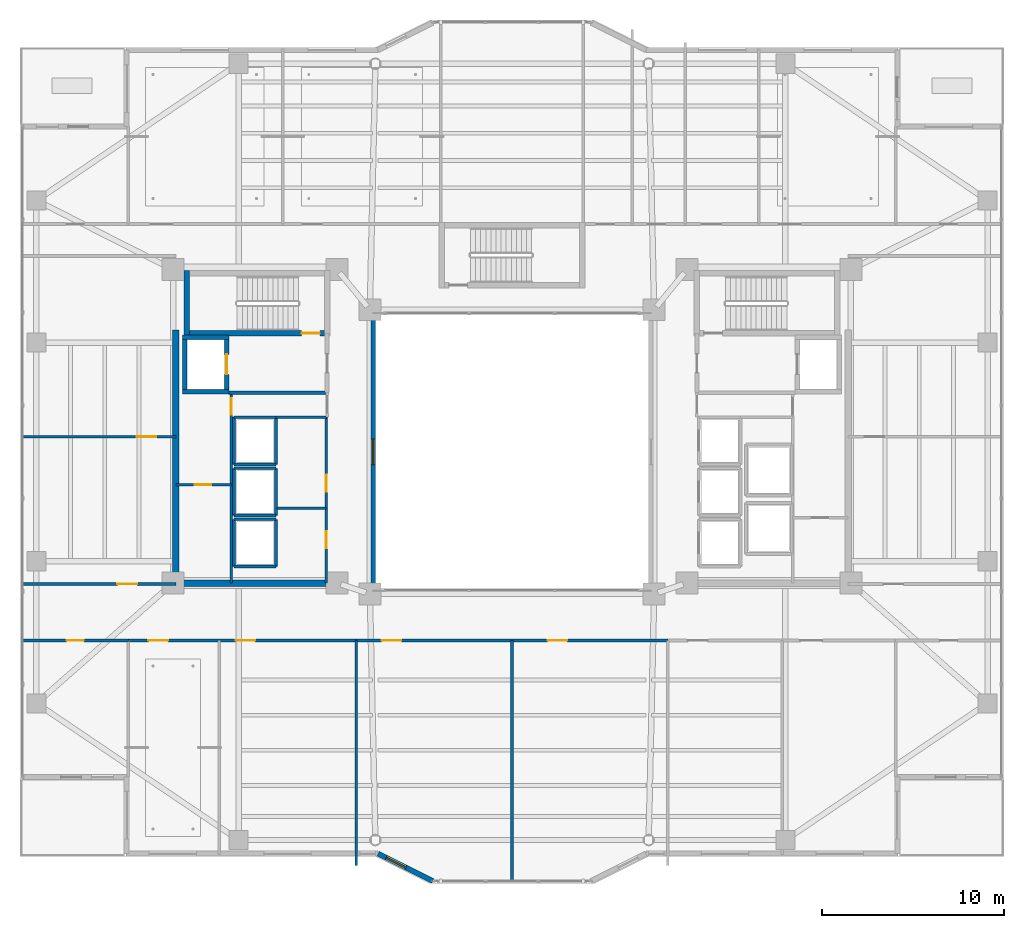
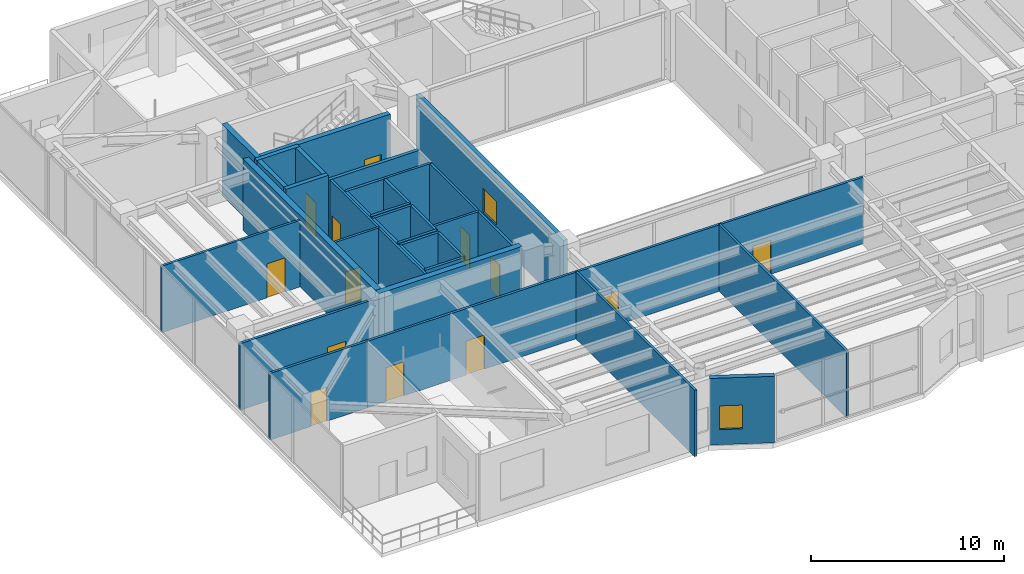
# One storey, part 27 of 38: 35 walls, 13 doors, 2 windows, 15 openings.
"""IFC4 building model written with IfcOpenShell, lengths in metres."""

from ifc_helpers import new_model, si_unit, direction, frame, frame_2d, origin, place, context, subcontext, project, spatial, rectangle, extrude, material, layer, layer_set, type_object, element, fill, save


model = new_model("IFC4")

# Units and contexts
model_context = context("Model", 3, precision=1e-05, world=origin(), true_north=direction((0.0, 1.0)))
body_context = subcontext(model_context, "Body", "Model", "MODEL_VIEW")
ifc_project = project(units=[si_unit("LENGTHUNIT", "METRE"), si_unit("AREAUNIT", "SQUARE_METRE"), si_unit("VOLUMEUNIT", "CUBIC_METRE"), si_unit("PLANEANGLEUNIT", "RADIAN"), si_unit("MASSUNIT", "GRAM", prefix="KILO")], contexts=[model_context])

# Site, building, storey
site_placement = place(None, origin())
site = spatial("IfcSite", under=ifc_project, at=site_placement, CompositionType="ELEMENT")
building_placement = place(site_placement, origin())
building = spatial("IfcBuilding", under=site, at=building_placement, Name="Tarnavaz Court Tower", CompositionType="ELEMENT")
storey_placement = place(building_placement, frame((0.0, 0.0, 123.0)))
storey = spatial("IfcBuildingStorey", under=building, at=storey_placement, Name="L33", CompositionType="ELEMENT", Elevation=123.0)

# Wall
ifc_material_1 = material(Name="Concrete C60/75", Category="concrete")
ifc_layer_1 = layer(ifc_material_1, 0.25)
ifc_layer_set_1 = layer_set([ifc_layer_1], Name="Concrete C60/75")
wall_type_1 = type_object("IfcWallType", Name="WL-CORE-250-C60", PredefinedType="SHEAR", material=ifc_layer_set_1)
wall_1_placement = place(storey_placement, frame((-17.949951171875, 3.175048828125, 0.0), z_axis=(0.0, 0.0, 1.0), x_axis=(0.0, 1.0, 0.0)))
element("IfcWall", 1, at=wall_1_placement, inside=storey, type_object=wall_type_1, Name="L33 Lift FL-W1 Shaft Wall 017", PredefinedType="SHEAR", context=body_context, shape_type="SweptSolid", body=[
    extrude(rectangle(XDim=3.25, YDim=0.25, at=frame_2d((1.625, 0.0))), origin(), (0.0, 0.0, 1.0), 4.5),
])

# Wall, opening, door
wall_2_placement = place(storey_placement, frame((-15.64990234375, 3.175048828125, 0.0), z_axis=(0.0, 0.0, 1.0), x_axis=(0.0, 1.0, 0.0)))
wall_2 = element("IfcWall", 2, at=wall_2_placement, inside=storey, type_object=wall_type_1, Name="L33 Lift FL-W1 Shaft Wall 018", PredefinedType="SHEAR", context=body_context, shape_type="SweptSolid", body=[
    extrude(rectangle(XDim=3.25, YDim=0.25, at=frame_2d((1.625, 0.0))), origin(), (0.0, 0.0, 1.0), 4.5),
])
opening_1_placement = place(wall_2_placement, frame((1.074951171875, 0.0, 0.0)))
opening_1 = element("IfcOpeningElement", 3, at=opening_1_placement, cuts=wall_2, Name="Opening LD1", PredefinedType="OPENING", context=body_context, shape_type="SweptSolid", body=[
    extrude(rectangle(XDim=1.10009765625, YDim=2.14990234375, at=frame_2d((0.550048828125, 1.074951171875))), frame((0.0, 0.135009765625, 0.0), z_axis=(0.0, -1.0, 0.0), x_axis=(1.0, 0.0, 0.0)), (0.0, 0.0, 1.0), 0.27001953125),
])
ifc_material_2 = material(Name="Stainless Steel", Category="steel")
door_type_1 = type_object("IfcDoorType", Name="DR-LD-1100", OperationType="NOTDEFINED", PredefinedType="DOOR", material=ifc_material_2)
door_1_placement = place(opening_1_placement, origin())
door_1 = element("IfcDoor", 4, at=door_1_placement, inside=storey, type_object=door_type_1, Name="L33 Lift Landing Door LD-FL-W1", OperationType="SLIDING_TO_LEFT", OverallHeight=2.14990234375, OverallWidth=1.10009765625, PredefinedType="DOOR", context=body_context, shape_type="SweptSolid", body=[
    extrude(rectangle(XDim=1.10009765625, YDim=2.14990234375, at=frame_2d((0.550048828125, 1.074951171875))), frame((0.0, 0.02490234375, 0.0), z_axis=(0.0, -1.0, 0.0), x_axis=(1.0, 0.0, 0.0)), (0.0, 0.0, 1.0), 0.050048828125),
])
fill(opening_1, door_1)

# Walls
for number, where, z_axis, x_axis, name in (
    (5, (-18.074951171875, 3.300048828125, 0.0), (0.0, 0.0, 1.0), (1.0, 0.0, 0.0), "L33 Lift FL-W1 Shaft Wall 019"),
    (6, (-18.074951171875, 6.300048828125, 0.0), (0.0, 0.0, 1.0), (1.0, 0.0, 0.0), "L33 Lift FL-W1 Shaft Wall 020"),
):
    element("IfcWall", number, at=place(storey_placement, frame(where, z_axis=z_axis, x_axis=x_axis)), inside=storey, type_object=wall_type_1, Name=name, PredefinedType="SHEAR", context=body_context, shape_type="SweptSolid", body=[
        extrude(rectangle(XDim=2.550048828125, YDim=0.25, at=frame_2d((1.27490234375, 0.0))), origin(), (0.0, 0.0, 1.0), 4.5),
    ])

# Wall, opening, door
ifc_layer_2 = layer(ifc_material_1, 0.300048828125)
ifc_layer_set_2 = layer_set([ifc_layer_2], Name="Concrete C60/75")
wall_type_2 = type_object("IfcWallType", Name="WL-CORE-300-C60", PredefinedType="SHEAR", material=ifc_layer_set_2)
wall_3_placement = place(storey_placement, frame((-18.0, 6.5, 0.0), z_axis=(0.0, 0.0, 1.0), x_axis=(1.0, 0.0, 0.0)))
wall_3 = element("IfcWall", 7, at=wall_3_placement, inside=storey, type_object=wall_type_2, Name="L33 West Stair Core Wall 002", PredefinedType="SHEAR", context=body_context, shape_type="SweptSolid", body=[
    extrude(rectangle(XDim=8.0, YDim=0.300048828125, at=frame_2d((4.0, 0.0))), origin(), (0.0, 0.0, 1.0), 4.5),
])
opening_2_placement = place(wall_3_placement, frame((6.449951171875, 0.0, 0.0)))
opening_2 = element("IfcOpeningElement", 8, at=opening_2_placement, cuts=wall_3, Name="Opening D01", PredefinedType="OPENING", context=body_context, shape_type="SweptSolid", body=[
    extrude(rectangle(XDim=1.0, YDim=2.14990234375, at=frame_2d((0.5, 1.074951171875))), frame((0.0, 0.159912109375, 0.0), z_axis=(0.0, -1.0, 0.0), x_axis=(1.0, 0.0, 0.0)), (0.0, 0.0, 1.0), 0.320068359375),
])
ifc_material_3 = material(Name="Fire-Rated Hardwood Timber Core", Category="wood")
door_type_2 = type_object("IfcDoorType", Name="DR-FD90-1000", OperationType="NOTDEFINED", PredefinedType="DOOR", material=ifc_material_3)
door_2_placement = place(opening_2_placement, origin())
door_2 = element("IfcDoor", 9, at=door_2_placement, inside=storey, type_object=door_type_2, Name="L33 Stair ST-W1 Exit Door", OperationType="SINGLE_SWING_LEFT", OverallHeight=2.14990234375, OverallWidth=1.0, PredefinedType="DOOR", context=body_context, shape_type="SweptSolid", body=[
    extrude(rectangle(XDim=1.0, YDim=2.14990234375, at=frame_2d((0.5, 1.074951171875))), frame((0.0, 0.02490234375, 0.0), z_axis=(0.0, -1.0, 0.0), x_axis=(1.0, 0.0, 0.0)), (0.0, 0.0, 1.0), 0.050048828125),
])
fill(opening_2, door_2)

# Walls
wall_4_placement = place(storey_placement, frame((-17.85009765625, 6.35009765625, 0.0), z_axis=(0.0, 0.0, 1.0), x_axis=(0.0, 1.0, 0.0)))
element("IfcWall", 10, at=wall_4_placement, inside=storey, type_object=wall_type_2, Name="L33 West Stair Core Wall 003", PredefinedType="SHEAR", context=body_context, shape_type="SweptSolid", body=[
    extrude(rectangle(XDim=3.58984375, YDim=0.300048828125, at=frame_2d((1.794921875, 0.0))), origin(), (0.0, 0.0, 1.0), 4.5),
])
ifc_layer_3 = layer(ifc_material_1, 0.35009765625)
ifc_layer_set_3 = layer_set([ifc_layer_3], Name="Concrete C60/75")
wall_type_3 = type_object("IfcWallType", Name="WL-CORE-350-C60", PredefinedType="SHEAR", material=ifc_layer_set_3)
wall_5_placement = place(storey_placement, frame((-18.449951171875, -7.375, 0.0), z_axis=(0.0, 0.0, 1.0), x_axis=(0.0, 1.0, 0.0)))
element("IfcWall", 11, at=wall_5_placement, inside=storey, type_object=wall_type_3, Name="L33 West Core Shear Wall 057", PredefinedType="SHEAR", context=body_context, shape_type="SweptSolid", body=[
    extrude(rectangle(XDim=14.050048828125, YDim=0.35009765625, at=frame_2d((7.02490234375, 0.0))), origin(), (0.0, 0.0, 1.0), 4.5),
])
wall_6_placement = place(storey_placement, frame((-18.625, -7.199951171875, 0.0), z_axis=(0.0, 0.0, 1.0), x_axis=(1.0, 0.0, 0.0)))
element("IfcWall", 12, at=wall_6_placement, inside=storey, type_object=wall_type_3, Name="L33 West Core South Shear Wall 058", PredefinedType="SHEAR", context=body_context, shape_type="SweptSolid", body=[
    extrude(rectangle(XDim=8.550048828125, YDim=0.35009765625, at=frame_2d((4.27490234375, 0.0))), origin(), (0.0, 0.0, 1.0), 4.5),
])

# Wall, opening, window
ifc_material_4 = material(Name="Precast Concrete C40/50", Category="concrete")
ifc_layer_4 = layer(ifc_material_4, 0.280029296875)
ifc_layer_set_4 = layer_set([ifc_layer_4], Name="Precast Concrete C40/50")
wall_type_4 = type_object("IfcWallType", Name="WL-EXT-280", PredefinedType="SOLIDWALL", material=ifc_layer_set_4)
wall_7_placement = place(storey_placement, frame((-4.35009765625, -23.550048828125, 0.0), z_axis=(0.0, 0.0, 1.0), x_axis=(-0.894427191, 0.4472135955, 0.0)))
wall_7 = element("IfcWall", 13, at=wall_7_placement, inside=storey, type_object=wall_type_4, Name="L33 Exterior Terracotta Facade Wall 18", PredefinedType="SOLIDWALL", context=body_context, shape_type="SweptSolid", body=[
    extrude(rectangle(XDim=3.35400390625, YDim=0.280029296875, at=frame_2d((1.677001953125, 0.0))), origin(), (0.0, 0.0, 1.0), 4.199951171875),
])
opening_3_placement = place(wall_7_placement, frame((1.65283203125, 0.0, 0.949951171875)))
opening_3 = element("IfcOpeningElement", 14, at=opening_3_placement, cuts=wall_7, Name="Opening W05", PredefinedType="OPENING", context=body_context, shape_type="SweptSolid", body=[
    extrude(rectangle(XDim=1.199951171875, YDim=1.5, at=frame_2d((0.60009765625, 0.75))), frame((0.0, 0.14990234375, 0.0), z_axis=(0.0, -1.0, 0.0), x_axis=(1.0, 0.0, 0.0)), (0.0, 0.0, 1.0), 0.300048828125),
])
ifc_material_5 = material(Name="Double-Glazed Solar Low-E Glass", Category="glass")
window_type_1 = type_object("IfcWindowType", Name="WN-APT-1200", PartitioningType="SINGLE_PANEL", PredefinedType="WINDOW", material=ifc_material_5)
window_1_placement = place(opening_3_placement, origin())
window_1 = element("IfcWindow", 15, at=window_1_placement, inside=storey, type_object=window_type_1, Name="L33 L33 South-West Cultural Classroom Window", OverallHeight=1.5, OverallWidth=1.199951171875, PartitioningType="SINGLE_PANEL", PredefinedType="WINDOW", context=body_context, shape_type="SweptSolid", body=[
    extrude(rectangle(XDim=1.199951171875, YDim=1.5, at=frame_2d((0.60009765625, 0.75))), frame((0.0, 0.030029296875, 0.0), z_axis=(0.0, -1.0, 0.0), x_axis=(1.0, 0.0, 0.0)), (0.0, 0.0, 1.0), 0.06005859375),
])
fill(opening_3, window_1)

# Wall, openings, doors
ifc_material_6 = material(Name="Gypsum Fire-Board on Acoustic Metal Stud", Category="masonry")
ifc_layer_5 = layer(ifc_material_6, 0.14990234375)
ifc_layer_set_5 = layer_set([ifc_layer_5], Name="Gypsum Fire-Board on Acoustic Metal Stud")
wall_type_5 = type_object("IfcWallType", Name="WL-FIRE-150", PredefinedType="PARTITIONING", material=ifc_layer_set_5)
wall_8_placement = place(storey_placement, frame((-21.050048828125, -10.35009765625, 0.0), z_axis=(0.0, 0.0, 1.0), x_axis=(1.0, 0.0, 0.0)))
wall_8 = element("IfcWall", 16, at=wall_8_placement, inside=storey, type_object=wall_type_5, Name="L33 SW Horseshoe Wall 073", PredefinedType="PARTITIONING", context=body_context, shape_type="SweptSolid", body=[
    extrude(rectangle(XDim=12.5, YDim=0.14990234375, at=frame_2d((6.25, 0.0))), origin(), (0.0, 0.0, 1.0), 4.199951171875),
])
opening_4_placement = place(wall_8_placement, frame((1.10009765625, 0.0, 0.0)))
opening_4 = element("IfcOpeningElement", 17, at=opening_4_placement, cuts=wall_8, Name="Opening D12", PredefinedType="OPENING", context=body_context, shape_type="SweptSolid", body=[
    extrude(rectangle(XDim=1.080078125, YDim=2.14990234375, at=frame_2d((0.5400390625, 1.074951171875))), frame((0.0, 0.0849609375, 0.0), z_axis=(0.0, -1.0, 0.0), x_axis=(1.0, 0.0, 0.0)), (0.0, 0.0, 1.0), 0.169921875),
])
opening_5_placement = place(wall_8_placement, frame((5.8798828125, 0.0, 0.0)))
opening_5 = element("IfcOpeningElement", 18, at=opening_5_placement, cuts=wall_8, Name="Opening D12", PredefinedType="OPENING", context=body_context, shape_type="SweptSolid", body=[
    extrude(rectangle(XDim=1.080078125, YDim=2.14990234375, at=frame_2d((0.5400390625, 1.074951171875))), frame((0.0, 0.0849609375, 0.0), z_axis=(0.0, -1.0, 0.0), x_axis=(1.0, 0.0, 0.0)), (0.0, 0.0, 1.0), 0.169921875),
])
ifc_material_7 = material(Name="Engineered Oak Timber", Category="wood")
door_type_3 = type_object("IfcDoorType", Name="DR-INT-1100", OperationType="NOTDEFINED", PredefinedType="DOOR", material=ifc_material_7)
door_3_placement = place(opening_4_placement, origin())
door_3 = element("IfcDoor", 19, at=door_3_placement, inside=storey, type_object=door_type_3, Name="L33 L33 Daycare Classroom Door", OperationType="SINGLE_SWING_LEFT", OverallHeight=2.14990234375, OverallWidth=1.080078125, PredefinedType="DOOR", context=body_context, shape_type="SweptSolid", body=[
    extrude(rectangle(XDim=1.080078125, YDim=2.14990234375, at=frame_2d((0.5400390625, 1.074951171875))), frame((0.0, 0.02490234375, 0.0), z_axis=(0.0, -1.0, 0.0), x_axis=(1.0, 0.0, 0.0)), (0.0, 0.0, 1.0), 0.050048828125),
])
fill(opening_4, door_3)
door_4_placement = place(opening_5_placement, origin())
door_4 = element("IfcDoor", 20, at=door_4_placement, inside=storey, type_object=door_type_3, Name="L33 SW Study Room Door", OperationType="SINGLE_SWING_RIGHT", OverallHeight=2.14990234375, OverallWidth=1.080078125, PredefinedType="DOOR", context=body_context, shape_type="SweptSolid", body=[
    extrude(rectangle(XDim=1.080078125, YDim=2.14990234375, at=frame_2d((0.5400390625, 1.074951171875))), frame((0.0, 0.02490234375, 0.0), z_axis=(0.0, -1.0, 0.0), x_axis=(1.0, 0.0, 0.0)), (0.0, 0.0, 1.0), 0.050048828125),
])
fill(opening_5, door_4)

wall_9_placement = place(storey_placement, frame((-8.550048828125, -10.35009765625, 0.0), z_axis=(0.0, 0.0, 1.0), x_axis=(1.0, 0.0, 0.0)))
wall_9 = element("IfcWall", 21, at=wall_9_placement, inside=storey, type_object=wall_type_5, Name="L33 Interior Partition 085", PredefinedType="PARTITIONING", context=body_context, shape_type="SweptSolid", body=[
    extrude(rectangle(XDim=17.10009765625, YDim=0.14990234375, at=frame_2d((8.550048828125, 0.0))), origin(), (0.0, 0.0, 1.0), 4.199951171875),
])
opening_6_placement = place(wall_9_placement, frame((1.39990234375, 0.0, 0.0)))
opening_6 = element("IfcOpeningElement", 22, at=opening_6_placement, cuts=wall_9, Name="Opening D12", PredefinedType="OPENING", context=body_context, shape_type="SweptSolid", body=[
    extrude(rectangle(XDim=1.080078125, YDim=2.14990234375, at=frame_2d((0.5400390625, 1.074951171875))), frame((0.0, 0.0849609375, 0.0), z_axis=(0.0, -1.0, 0.0), x_axis=(1.0, 0.0, 0.0)), (0.0, 0.0, 1.0), 0.169921875),
])
opening_7_placement = place(wall_9_placement, frame((10.5, 0.0, 0.0)))
opening_7 = element("IfcOpeningElement", 23, at=opening_7_placement, cuts=wall_9, Name="Opening D12", PredefinedType="OPENING", context=body_context, shape_type="SweptSolid", body=[
    extrude(rectangle(XDim=1.080078125, YDim=2.14990234375, at=frame_2d((0.5400390625, 1.074951171875))), frame((0.0, 0.0849609375, 0.0), z_axis=(0.0, -1.0, 0.0), x_axis=(1.0, 0.0, 0.0)), (0.0, 0.0, 1.0), 0.169921875),
])
door_5_placement = place(opening_6_placement, origin())
door_5 = element("IfcDoor", 24, at=door_5_placement, inside=storey, type_object=door_type_3, Name="L33 Cultural Classroom Door", OperationType="SINGLE_SWING_LEFT", OverallHeight=2.14990234375, OverallWidth=1.080078125, PredefinedType="DOOR", context=body_context, shape_type="SweptSolid", body=[
    extrude(rectangle(XDim=1.080078125, YDim=2.14990234375, at=frame_2d((0.5400390625, 1.074951171875))), frame((0.0, 0.02490234375, 0.0), z_axis=(0.0, -1.0, 0.0), x_axis=(1.0, 0.0, 0.0)), (0.0, 0.0, 1.0), 0.050048828125),
])
fill(opening_6, door_5)
door_6_placement = place(opening_7_placement, origin())
door_6 = element("IfcDoor", 25, at=door_6_placement, inside=storey, type_object=door_type_3, Name="L33 Arts Studio Door", OperationType="SINGLE_SWING_RIGHT", OverallHeight=2.14990234375, OverallWidth=1.080078125, PredefinedType="DOOR", context=body_context, shape_type="SweptSolid", body=[
    extrude(rectangle(XDim=1.080078125, YDim=2.14990234375, at=frame_2d((0.5400390625, 1.074951171875))), frame((0.0, 0.02490234375, 0.0), z_axis=(0.0, -1.0, 0.0), x_axis=(1.0, 0.0, 0.0)), (0.0, 0.0, 1.0), 0.050048828125),
])
fill(opening_7, door_6)

# Wall, opening, door
wall_10_placement = place(storey_placement, frame((-26.8798828125, -7.25, 0.0), z_axis=(0.0, 0.0, 1.0), x_axis=(1.0, 0.0, 0.0)))
wall_10 = element("IfcWall", 26, at=wall_10_placement, inside=storey, type_object=wall_type_5, Name="L33 Interior Partition 087", PredefinedType="PARTITIONING", context=body_context, shape_type="SweptSolid", body=[
    extrude(rectangle(XDim=8.429931640625, YDim=0.14990234375, at=frame_2d((4.21484375, 0.0))), origin(), (0.0, 0.0, 1.0), 4.199951171875),
])
opening_8_placement = place(wall_10_placement, frame((5.22998046875, 0.0, 0.0)))
opening_8 = element("IfcOpeningElement", 27, at=opening_8_placement, cuts=wall_10, Name="Opening D12", PredefinedType="OPENING", context=body_context, shape_type="SweptSolid", body=[
    extrude(rectangle(XDim=1.080078125, YDim=2.14990234375, at=frame_2d((0.5400390625, 1.074951171875))), frame((0.0, 0.0849609375, 0.0), z_axis=(0.0, -1.0, 0.0), x_axis=(1.0, 0.0, 0.0)), (0.0, 0.0, 1.0), 0.169921875),
])
door_7_placement = place(opening_8_placement, origin())
door_7 = element("IfcDoor", 28, at=door_7_placement, inside=storey, type_object=door_type_3, Name="L33 West Suite Room 1 Door", OperationType="SINGLE_SWING_LEFT", OverallHeight=2.14990234375, OverallWidth=1.080078125, PredefinedType="DOOR", context=body_context, shape_type="SweptSolid", body=[
    extrude(rectangle(XDim=1.080078125, YDim=2.14990234375, at=frame_2d((0.5400390625, 1.074951171875))), frame((0.0, 0.02490234375, 0.0), z_axis=(0.0, -1.0, 0.0), x_axis=(1.0, 0.0, 0.0)), (0.0, 0.0, 1.0), 0.050048828125),
])
fill(opening_8, door_7)

wall_11_placement = place(storey_placement, frame((-26.8798828125, -10.35009765625, 0.0), z_axis=(0.0, 0.0, 1.0), x_axis=(1.0, 0.0, 0.0)))
wall_11 = element("IfcWall", 29, at=wall_11_placement, inside=storey, type_object=wall_type_5, Name="L33 Interior Partition 097", PredefinedType="PARTITIONING", context=body_context, shape_type="SweptSolid", body=[
    extrude(rectangle(XDim=5.829833984375, YDim=0.14990234375, at=frame_2d((2.9150390625, 0.0))), origin(), (0.0, 0.0, 1.0), 4.199951171875),
])
opening_9_placement = place(wall_11_placement, frame((2.43994140625, 0.0, 0.0)))
opening_9 = element("IfcOpeningElement", 30, at=opening_9_placement, cuts=wall_11, Name="Opening D13", PredefinedType="OPENING", context=body_context, shape_type="SweptSolid", body=[
    extrude(rectangle(XDim=0.949951171875, YDim=2.14990234375, at=frame_2d((0.47509765625, 1.074951171875))), frame((0.0, 0.0849609375, 0.0), z_axis=(0.0, -1.0, 0.0), x_axis=(1.0, 0.0, 0.0)), (0.0, 0.0, 1.0), 0.169921875),
])
door_type_4 = type_object("IfcDoorType", Name="DR-INT-950", OperationType="NOTDEFINED", PredefinedType="DOOR", material=ifc_material_7)
door_8_placement = place(opening_9_placement, origin())
door_8 = element("IfcDoor", 31, at=door_8_placement, inside=storey, type_object=door_type_4, Name="L33 SW Terrace Salon Door", OperationType="SINGLE_SWING_LEFT", OverallHeight=2.14990234375, OverallWidth=0.949951171875, PredefinedType="DOOR", context=body_context, shape_type="SweptSolid", body=[
    extrude(rectangle(XDim=0.949951171875, YDim=2.14990234375, at=frame_2d((0.47509765625, 1.074951171875))), frame((0.0, 0.02490234375, 0.0), z_axis=(0.0, -1.0, 0.0), x_axis=(1.0, 0.0, 0.0)), (0.0, 0.0, 1.0), 0.050048828125),
])
fill(opening_9, door_8)

# Walls
ifc_material_8 = material(Name="Autoclaved Aerated Concrete Blockwork", Category="masonry")
ifc_layer_6 = layer(ifc_material_8, 0.199951171875)
ifc_layer_set_6 = layer_set([ifc_layer_6], Name="Autoclaved Aerated Concrete Blockwork")
wall_type_6 = type_object("IfcWallType", Name="WL-FIRE-200", PredefinedType="SOLIDWALL", material=ifc_layer_set_6)
wall_12_placement = place(storey_placement, frame((-15.550048828125, 3.25, 0.0), z_axis=(0.0, 0.0, 1.0), x_axis=(1.0, 0.0, 0.0)))
element("IfcWall", 32, at=wall_12_placement, inside=storey, type_object=wall_type_6, Name="L33 West Firefighting Lobby Wall 013", PredefinedType="SOLIDWALL", context=body_context, shape_type="SweptSolid", body=[
    extrude(rectangle(XDim=5.400146484375, YDim=0.199951171875, at=frame_2d((2.7001953125, 0.0))), origin(), (0.0, 0.0, 1.0), 4.199951171875),
])
ifc_material_9 = material(Name="Gypsum Plasterboard Acoustic Partition", Category="masonry")
ifc_layer_7 = layer(ifc_material_9, 0.139892578125)
ifc_layer_set_7 = layer_set([ifc_layer_7], Name="Gypsum Plasterboard Acoustic Partition")
wall_type_7 = type_object("IfcWallType", Name="WL-PART-150", PredefinedType="PARTITIONING", material=ifc_layer_set_7)
wall_13_placement = place(storey_placement, frame((-12.949951171875, 1.89990234375, 0.0), z_axis=(0.0, 0.0, 1.0), x_axis=(1.0, 0.0, 0.0)))
element("IfcWall", 33, at=wall_13_placement, inside=storey, type_object=wall_type_7, Name="L33 Interior Partition 061", PredefinedType="PARTITIONING", context=body_context, shape_type="SweptSolid", body=[
    extrude(rectangle(XDim=2.800048828125, YDim=0.139892578125, at=frame_2d((1.39990234375, 0.0))), origin(), (0.0, 0.0, 1.0), 4.199951171875),
])

# Wall, opening, door
wall_14_placement = place(storey_placement, frame((-15.39990234375, -7.199951171875, 0.0), z_axis=(0.0, 0.0, 1.0), x_axis=(0.0, 1.0, 0.0)))
wall_14 = element("IfcWall", 34, at=wall_14_placement, inside=storey, type_object=wall_type_7, Name="L33 Interior Partition 063", PredefinedType="PARTITIONING", context=body_context, shape_type="SweptSolid", body=[
    extrude(rectangle(XDim=10.449951171875, YDim=0.139892578125, at=frame_2d((5.22509765625, 0.0))), origin(), (0.0, 0.0, 1.0), 4.199951171875),
])
opening_10_placement = place(wall_14_placement, frame((9.25, 0.0, 0.0)))
opening_10 = element("IfcOpeningElement", 35, at=opening_10_placement, cuts=wall_14, Name="Opening D09", PredefinedType="OPENING", context=body_context, shape_type="SweptSolid", body=[
    extrude(rectangle(XDim=0.89990234375, YDim=2.080078125, at=frame_2d((0.449951171875, 1.0400390625))), frame((0.0, 0.079833984375, 0.0), z_axis=(0.0, -1.0, 0.0), x_axis=(1.0, 0.0, 0.0)), (0.0, 0.0, 1.0), 0.159912109375),
])
door_type_5 = type_object("IfcDoorType", Name="DR-FD30-900", OperationType="NOTDEFINED", PredefinedType="DOOR", material=ifc_material_3)
door_9_placement = place(opening_10_placement, origin())
door_9 = element("IfcDoor", 36, at=door_9_placement, inside=storey, type_object=door_type_5, Name="L33 West Telecom Room Door", OperationType="SINGLE_SWING_RIGHT", OverallHeight=2.080078125, OverallWidth=0.89990234375, PredefinedType="DOOR", context=body_context, shape_type="SweptSolid", body=[
    extrude(rectangle(XDim=0.89990234375, YDim=2.080078125, at=frame_2d((0.449951171875, 1.0400390625))), frame((0.0, 0.02490234375, 0.0), z_axis=(0.0, -1.0, 0.0), x_axis=(1.0, 0.0, 0.0)), (0.0, 0.0, 1.0), 0.050048828125),
])
fill(opening_10, door_9)

wall_15_placement = place(storey_placement, frame((-18.449951171875, -1.800048828125, 0.0), z_axis=(0.0, 0.0, 1.0), x_axis=(1.0, 0.0, 0.0)))
wall_15 = element("IfcWall", 37, at=wall_15_placement, inside=storey, type_object=wall_type_7, Name="L33 Interior Partition 064", PredefinedType="PARTITIONING", context=body_context, shape_type="SweptSolid", body=[
    extrude(rectangle(XDim=3.050048828125, YDim=0.139892578125, at=frame_2d((1.52490234375, 0.0))), origin(), (0.0, 0.0, 1.0), 4.199951171875),
])
opening_11_placement = place(wall_15_placement, frame((1.050048828125, 0.0, 0.0)))
opening_11 = element("IfcOpeningElement", 38, at=opening_11_placement, cuts=wall_15, Name="Opening D09", PredefinedType="OPENING", context=body_context, shape_type="SweptSolid", body=[
    extrude(rectangle(XDim=0.89990234375, YDim=2.080078125, at=frame_2d((0.449951171875, 1.0400390625))), frame((0.0, 0.079833984375, 0.0), z_axis=(0.0, -1.0, 0.0), x_axis=(1.0, 0.0, 0.0)), (0.0, 0.0, 1.0), 0.159912109375),
])
door_10_placement = place(opening_11_placement, origin())
door_10 = element("IfcDoor", 39, at=door_10_placement, inside=storey, type_object=door_type_5, Name="L33 West Electrical Room Door", OperationType="SINGLE_SWING_LEFT", OverallHeight=2.080078125, OverallWidth=0.89990234375, PredefinedType="DOOR", context=body_context, shape_type="SweptSolid", body=[
    extrude(rectangle(XDim=0.89990234375, YDim=2.080078125, at=frame_2d((0.449951171875, 1.0400390625))), frame((0.0, 0.02490234375, 0.0), z_axis=(0.0, -1.0, 0.0), x_axis=(1.0, 0.0, 0.0)), (0.0, 0.0, 1.0), 0.050048828125),
])
fill(opening_11, door_10)

# Wall, openings, doors
wall_16_placement = place(storey_placement, frame((-10.199951171875, -7.199951171875, 0.0), z_axis=(0.0, 0.0, 1.0), x_axis=(0.0, 1.0, 0.0)))
wall_16 = element("IfcWall", 40, at=wall_16_placement, inside=storey, type_object=wall_type_7, Name="L33 West Reclaimed Core Wall 065", PredefinedType="PARTITIONING", context=body_context, shape_type="SweptSolid", body=[
    extrude(rectangle(XDim=9.119873046875, YDim=0.139892578125, at=frame_2d((4.56005859375, 0.0))), origin(), (0.0, 0.0, 1.0), 4.199951171875),
])
opening_12_placement = place(wall_16_placement, frame((1.89990234375, 0.0, 0.0)))
opening_12 = element("IfcOpeningElement", 41, at=opening_12_placement, cuts=wall_16, Name="Opening D08", PredefinedType="OPENING", context=body_context, shape_type="SweptSolid", body=[
    extrude(rectangle(XDim=0.949951171875, YDim=2.1201171875, at=frame_2d((0.47509765625, 1.06005859375))), frame((0.0, 0.079833984375, 0.0), z_axis=(0.0, -1.0, 0.0), x_axis=(1.0, 0.0, 0.0)), (0.0, 0.0, 1.0), 0.159912109375),
])
opening_13_placement = place(wall_16_placement, frame((5.0, 0.0, 0.0)))
opening_13 = element("IfcOpeningElement", 42, at=opening_13_placement, cuts=wall_16, Name="Opening D08", PredefinedType="OPENING", context=body_context, shape_type="SweptSolid", body=[
    extrude(rectangle(XDim=0.949951171875, YDim=2.1201171875, at=frame_2d((0.47509765625, 1.06005859375))), frame((0.0, 0.079833984375, 0.0), z_axis=(0.0, -1.0, 0.0), x_axis=(1.0, 0.0, 0.0)), (0.0, 0.0, 1.0), 0.159912109375),
])
door_type_6 = type_object("IfcDoorType", Name="DR-FD30-950", OperationType="NOTDEFINED", PredefinedType="DOOR", material=ifc_material_3)
door_11_placement = place(opening_12_placement, origin())
door_11 = element("IfcDoor", 43, at=door_11_placement, inside=storey, type_object=door_type_6, Name="L33 West Study Room Door", OperationType="SINGLE_SWING_RIGHT", OverallHeight=2.1201171875, OverallWidth=0.949951171875, PredefinedType="DOOR", context=body_context, shape_type="SweptSolid", body=[
    extrude(rectangle(XDim=0.949951171875, YDim=2.1201171875, at=frame_2d((0.47509765625, 1.06005859375))), frame((0.0, 0.02490234375, 0.0), z_axis=(0.0, -1.0, 0.0), x_axis=(1.0, 0.0, 0.0)), (0.0, 0.0, 1.0), 0.050048828125),
])
fill(opening_12, door_11)
door_12_placement = place(opening_13_placement, origin())
door_12 = element("IfcDoor", 44, at=door_12_placement, inside=storey, type_object=door_type_6, Name="L33 West Laundry Room Door", OperationType="SINGLE_SWING_LEFT", OverallHeight=2.1201171875, OverallWidth=0.949951171875, PredefinedType="DOOR", context=body_context, shape_type="SweptSolid", body=[
    extrude(rectangle(XDim=0.949951171875, YDim=2.1201171875, at=frame_2d((0.47509765625, 1.06005859375))), frame((0.0, 0.02490234375, 0.0), z_axis=(0.0, -1.0, 0.0), x_axis=(1.0, 0.0, 0.0)), (0.0, 0.0, 1.0), 0.050048828125),
])
fill(opening_13, door_12)

# Walls
wall_17_placement = place(storey_placement, frame((-12.89990234375, -3.10009765625, 0.0), z_axis=(0.0, 0.0, 1.0), x_axis=(1.0, 0.0, 0.0)))
element("IfcWall", 45, at=wall_17_placement, inside=storey, type_object=wall_type_7, Name="L33 Interior Partition 066", PredefinedType="PARTITIONING", context=body_context, shape_type="SweptSolid", body=[
    extrude(rectangle(XDim=2.699951171875, YDim=0.139892578125, at=frame_2d((1.35009765625, 0.0))), origin(), (0.0, 0.0, 1.0), 4.199951171875),
])
wall_18_placement = place(storey_placement, frame((-8.550048828125, -22.7041015625, 0.0), z_axis=(0.0, 0.0, 1.0), x_axis=(0.0, 1.0, 0.0)))
element("IfcWall", 46, at=wall_18_placement, inside=storey, type_object=wall_type_7, Name="L33 Interior Partition 082", PredefinedType="PARTITIONING", context=body_context, shape_type="SweptSolid", body=[
    extrude(rectangle(XDim=12.35400390625, YDim=0.139892578125, at=frame_2d((6.177001953125, 0.0))), origin(), (0.0, 0.0, 1.0), 4.199951171875),
])
wall_19_placement = place(storey_placement, frame((0.0, -23.580078125, 0.0), z_axis=(0.0, 0.0, 1.0), x_axis=(0.0, 1.0, 0.0)))
element("IfcWall", 47, at=wall_19_placement, inside=storey, type_object=wall_type_7, Name="L33 Interior Partition 086", PredefinedType="PARTITIONING", context=body_context, shape_type="SweptSolid", body=[
    extrude(rectangle(XDim=13.22998046875, YDim=0.139892578125, at=frame_2d((6.614990234375, 0.0))), origin(), (0.0, 0.0, 1.0), 4.199951171875),
])

# Wall, opening, door
wall_20_placement = place(storey_placement, frame((-26.8798828125, 0.8291015625, 0.0), z_axis=(0.0, 0.0, 1.0), x_axis=(1.0, 0.0, 0.0)))
wall_20 = element("IfcWall", 48, at=wall_20_placement, inside=storey, type_object=wall_type_7, Name="L33 Interior Partition 099", PredefinedType="PARTITIONING", context=body_context, shape_type="SweptSolid", body=[
    extrude(rectangle(XDim=8.429931640625, YDim=0.139892578125, at=frame_2d((4.21484375, 0.0))), origin(), (0.0, 0.0, 1.0), 4.199951171875),
])
opening_14_placement = place(wall_20_placement, frame((6.280029296875, 0.0, 0.0)))
opening_14 = element("IfcOpeningElement", 49, at=opening_14_placement, cuts=wall_20, Name="Opening D12", PredefinedType="OPENING", context=body_context, shape_type="SweptSolid", body=[
    extrude(rectangle(XDim=1.080078125, YDim=2.14990234375, at=frame_2d((0.5400390625, 1.074951171875))), frame((0.0, 0.079833984375, 0.0), z_axis=(0.0, -1.0, 0.0), x_axis=(1.0, 0.0, 0.0)), (0.0, 0.0, 1.0), 0.159912109375),
])
door_13_placement = place(opening_14_placement, origin())
door_13 = element("IfcDoor", 50, at=door_13_placement, inside=storey, type_object=door_type_3, Name="L33 West Suite Room 2 Door", OperationType="SINGLE_SWING_RIGHT", OverallHeight=2.14990234375, OverallWidth=1.080078125, PredefinedType="DOOR", context=body_context, shape_type="SweptSolid", body=[
    extrude(rectangle(XDim=1.080078125, YDim=2.14990234375, at=frame_2d((0.5400390625, 1.074951171875))), frame((0.0, 0.02490234375, 0.0), z_axis=(0.0, -1.0, 0.0), x_axis=(1.0, 0.0, 0.0)), (0.0, 0.0, 1.0), 0.050048828125),
])
fill(opening_14, door_13)

# Walls
ifc_layer_8 = layer(ifc_material_8, 0.159912109375)
ifc_layer_set_8 = layer_set([ifc_layer_8], Name="Autoclaved Aerated Concrete Blockwork")
wall_type_8 = type_object("IfcWallType", Name="WL-SHAFT-150", PredefinedType="SOLIDWALL", material=ifc_layer_set_8)
for number, where, z_axis, x_axis, name in (
    (51, (-15.25, -6.300048828125, 0.0), (0.0, 0.0, 1.0), (0.0, 1.0, 0.0), "L33 Lift PL-H1 Shaft Wall 021"),
    (52, (-12.949951171875, -6.300048828125, 0.0), (0.0, 0.0, 1.0), (0.0, 1.0, 0.0), "L33 Lift PL-H1 Shaft Wall 022"),
):
    element("IfcWall", number, at=place(storey_placement, frame(where, z_axis=z_axis, x_axis=x_axis)), inside=storey, type_object=wall_type_8, Name=name, PredefinedType="SOLIDWALL", context=body_context, shape_type="SweptSolid", body=[
        extrude(rectangle(XDim=2.60009765625, YDim=0.159912109375, at=frame_2d((1.300048828125, 0.0))), origin(), (0.0, 0.0, 1.0), 4.199951171875),
    ])
for number, where, z_axis, x_axis, name in (
    (53, (-15.25, -6.300048828125, 0.0), (0.0, 0.0, 1.0), (1.0, 0.0, 0.0), "L33 Lift PL-H1 Shaft Wall 023"),
    (54, (-15.25, -3.699951171875, 0.0), (0.0, 0.0, 1.0), (1.0, 0.0, 0.0), "L33 Lift PL-H1 Shaft Wall 024"),
):
    element("IfcWall", number, at=place(storey_placement, frame(where, z_axis=z_axis, x_axis=x_axis)), inside=storey, type_object=wall_type_8, Name=name, PredefinedType="SOLIDWALL", context=body_context, shape_type="SweptSolid", body=[
        extrude(rectangle(XDim=2.300048828125, YDim=0.159912109375, at=frame_2d((1.14990234375, 0.0))), origin(), (0.0, 0.0, 1.0), 4.199951171875),
    ])
for number, where, z_axis, x_axis, name in (
    (55, (-15.25, -3.5, 0.0), (0.0, 0.0, 1.0), (0.0, 1.0, 0.0), "L33 Lift PL-H2 Shaft Wall 025"),
    (56, (-12.949951171875, -3.5, 0.0), (0.0, 0.0, 1.0), (0.0, 1.0, 0.0), "L33 Lift PL-H2 Shaft Wall 026"),
):
    element("IfcWall", number, at=place(storey_placement, frame(where, z_axis=z_axis, x_axis=x_axis)), inside=storey, type_object=wall_type_8, Name=name, PredefinedType="SOLIDWALL", context=body_context, shape_type="SweptSolid", body=[
        extrude(rectangle(XDim=2.60009765625, YDim=0.159912109375, at=frame_2d((1.300048828125, 0.0))), origin(), (0.0, 0.0, 1.0), 4.199951171875),
    ])
for number, where, z_axis, x_axis, name in (
    (57, (-15.25, -3.5, 0.0), (0.0, 0.0, 1.0), (1.0, 0.0, 0.0), "L33 Lift PL-H2 Shaft Wall 027"),
    (58, (-15.25, -0.89990234375, 0.0), (0.0, 0.0, 1.0), (1.0, 0.0, 0.0), "L33 Lift PL-H2 Shaft Wall 028"),
):
    element("IfcWall", number, at=place(storey_placement, frame(where, z_axis=z_axis, x_axis=x_axis)), inside=storey, type_object=wall_type_8, Name=name, PredefinedType="SOLIDWALL", context=body_context, shape_type="SweptSolid", body=[
        extrude(rectangle(XDim=2.300048828125, YDim=0.159912109375, at=frame_2d((1.14990234375, 0.0))), origin(), (0.0, 0.0, 1.0), 4.199951171875),
    ])
for number, where, z_axis, x_axis, name in (
    (59, (-15.25, -0.699951171875, 0.0), (0.0, 0.0, 1.0), (0.0, 1.0, 0.0), "L33 Lift PL-H3 Shaft Wall 029"),
    (60, (-12.949951171875, -0.699951171875, 0.0), (0.0, 0.0, 1.0), (0.0, 1.0, 0.0), "L33 Lift PL-H3 Shaft Wall 030"),
):
    element("IfcWall", number, at=place(storey_placement, frame(where, z_axis=z_axis, x_axis=x_axis)), inside=storey, type_object=wall_type_8, Name=name, PredefinedType="SOLIDWALL", context=body_context, shape_type="SweptSolid", body=[
        extrude(rectangle(XDim=2.599853515625, YDim=0.159912109375, at=frame_2d((1.2998046875, 0.0))), origin(), (0.0, 0.0, 1.0), 4.199951171875),
    ])
for number, where, z_axis, x_axis, name in (
    (61, (-15.25, -0.699951171875, 0.0), (0.0, 0.0, 1.0), (1.0, 0.0, 0.0), "L33 Lift PL-H3 Shaft Wall 031"),
    (62, (-15.25, 1.89990234375, 0.0), (0.0, 0.0, 1.0), (1.0, 0.0, 0.0), "L33 Lift PL-H3 Shaft Wall 032"),
):
    element("IfcWall", number, at=place(storey_placement, frame(where, z_axis=z_axis, x_axis=x_axis)), inside=storey, type_object=wall_type_8, Name=name, PredefinedType="SOLIDWALL", context=body_context, shape_type="SweptSolid", body=[
        extrude(rectangle(XDim=2.300048828125, YDim=0.159912109375, at=frame_2d((1.14990234375, 0.0))), origin(), (0.0, 0.0, 1.0), 4.199951171875),
    ])

# Wall, opening, window
ifc_layer_9 = layer(ifc_material_4, 0.239990234375)
ifc_layer_set_9 = layer_set([ifc_layer_9], Name="Precast Concrete C40/50")
wall_type_9 = type_object("IfcWallType", Name="WL-WELL-240", PredefinedType="SOLIDWALL", material=ifc_layer_set_9)
wall_21_placement = place(storey_placement, frame((-7.6201171875, 7.6201171875, 0.0), z_axis=(0.0, 0.0, 1.0), x_axis=(0.0, -1.0, 0.0)))
wall_21 = element("IfcWall", 63, at=wall_21_placement, inside=storey, type_object=wall_type_9, Name="L33 Badgir Light-Well Exterior Wall W", PredefinedType="SOLIDWALL", context=body_context, shape_type="SweptSolid", body=[
    extrude(rectangle(XDim=15.240234375, YDim=0.239990234375, at=frame_2d((7.6201171875, 0.0))), origin(), (0.0, 0.0, 1.0), 4.199951171875),
])
opening_15_placement = place(wall_21_placement, frame((6.919921875, 0.0, 0.949951171875)))
opening_15 = element("IfcOpeningElement", 64, at=opening_15_placement, cuts=wall_21, Name="Opening W13", PredefinedType="OPENING", context=body_context, shape_type="SweptSolid", body=[
    extrude(rectangle(XDim=1.39990234375, YDim=1.5, at=frame_2d((0.699951171875, 0.75))), frame((0.0, 0.1298828125, 0.0), z_axis=(0.0, -1.0, 0.0), x_axis=(1.0, 0.0, 0.0)), (0.0, 0.0, 1.0), 0.260009765625),
])
window_type_2 = type_object("IfcWindowType", Name="WN-WEL-1400", PartitioningType="SINGLE_PANEL", PredefinedType="WINDOW", material=ifc_material_5)
window_2_placement = place(opening_15_placement, origin())
window_2 = element("IfcWindow", 65, at=window_2_placement, inside=storey, type_object=window_type_2, Name="L33 Courtyard Gallery Window W", OverallHeight=1.5, OverallWidth=1.39990234375, PartitioningType="SINGLE_PANEL", PredefinedType="WINDOW", context=body_context, shape_type="SweptSolid", body=[
    extrude(rectangle(XDim=1.39990234375, YDim=1.5, at=frame_2d((0.699951171875, 0.75))), frame((0.0, 0.030029296875, 0.0), z_axis=(0.0, -1.0, 0.0), x_axis=(1.0, 0.0, 0.0)), (0.0, 0.0, 1.0), 0.06005859375),
])
fill(opening_15, window_2)

save(model, "model.ifc")
